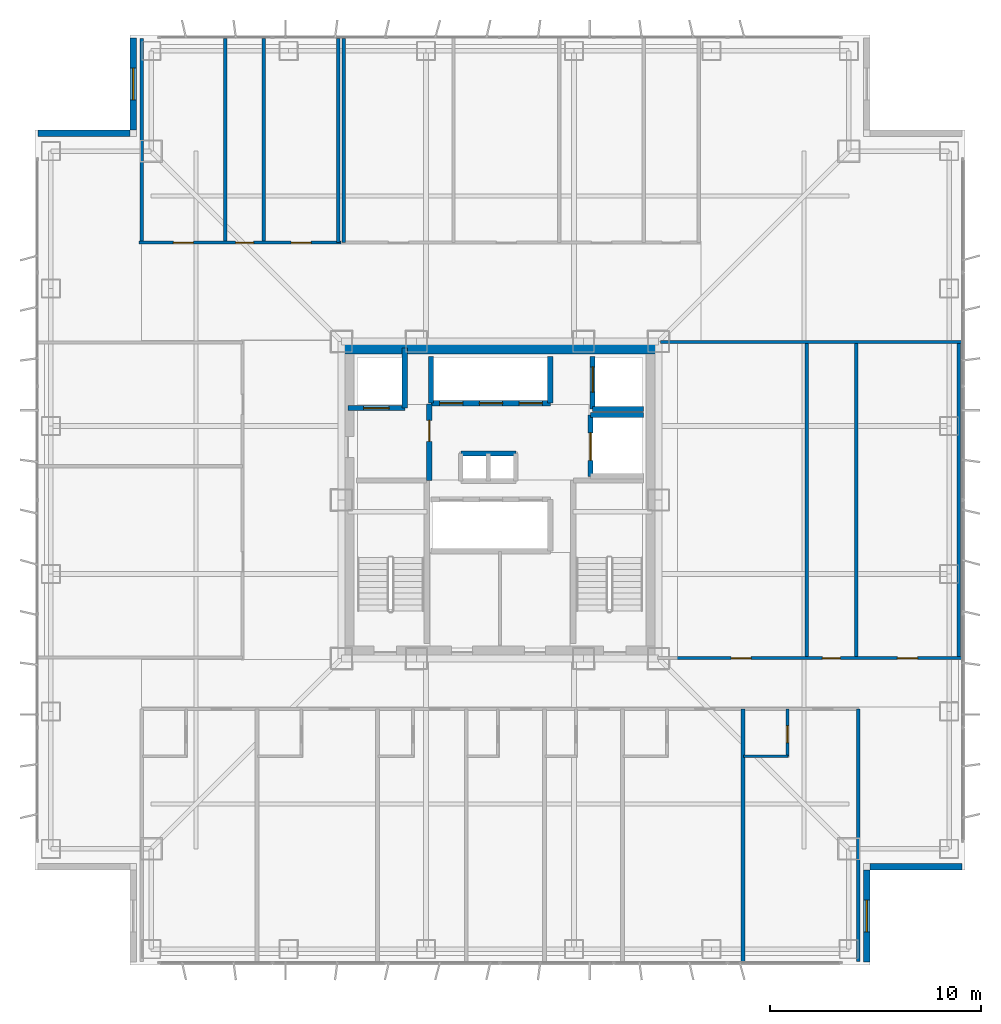
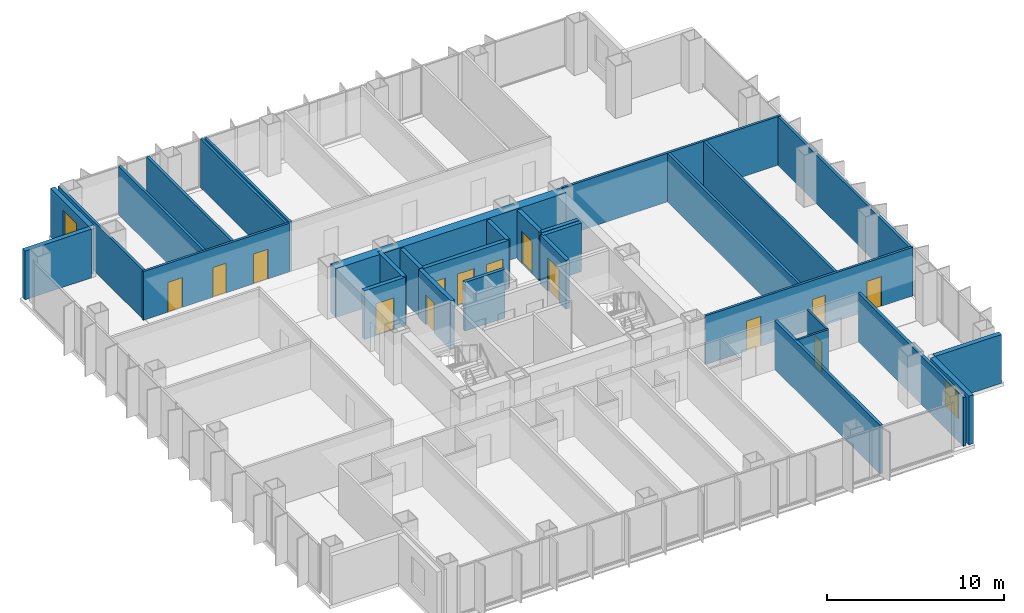
# One storey, part 14 of 18: 31 walls, 14 doors, 2 windows, 16 openings.
"""IFC4 building model written with IfcOpenShell, lengths in metres."""

from ifc_helpers import new_model, si_unit, direction, frame, frame_2d, origin, place, context, subcontext, project, spatial, rectangle, extrude, material, layer, layer_set, type_object, element, fill, save


model = new_model("IFC4")

# Units and contexts
model_context = context("Model", 3, precision=1e-05, world=origin(), true_north=direction((0.0, 1.0)))
body_context = subcontext(model_context, "Body", "Model", "MODEL_VIEW")
ifc_project = project(units=[si_unit("LENGTHUNIT", "METRE"), si_unit("AREAUNIT", "SQUARE_METRE"), si_unit("VOLUMEUNIT", "CUBIC_METRE"), si_unit("PLANEANGLEUNIT", "RADIAN"), si_unit("MASSUNIT", "GRAM", prefix="KILO")], contexts=[model_context])

# Site, building, storey
site_placement = place(None, origin())
site = spatial("IfcSite", under=ifc_project, at=site_placement, CompositionType="ELEMENT")
building_placement = place(site_placement, origin())
building = spatial("IfcBuilding", under=site, at=building_placement, Name="Trevonay Congress Spire", CompositionType="ELEMENT")
storey_placement = place(building_placement, frame((0.0, 0.0, 148.0)))
storey = spatial("IfcBuildingStorey", under=building, at=storey_placement, Name="L38", CompositionType="ELEMENT", Elevation=148.0)

# Wall, opening, door
ifc_material_1 = material(Name="Concrete C40/50", Category="concrete")
ifc_layer_1 = layer(ifc_material_1, 0.1201171875, Name="Concrete C40/50")
ifc_layer_set_1 = layer_set([ifc_layer_1], Name="Concrete C40/50")
wall_type_1 = type_object("IfcWallType", Name="WAL-BATH-120", PredefinedType="PLUMBINGWALL", material=ifc_layer_set_1)
wall_1_placement = place(storey_placement, frame((13.60009765625, -12.1298828125, 0.0), z_axis=(0.0, 0.0, 1.0), x_axis=(0.0, 1.0, 0.0)))
wall_1 = element("IfcWall", 1, at=wall_1_placement, inside=storey, type_object=wall_type_1, Name="L38 interior wall WH-L38S-BS7", PredefinedType="PLUMBINGWALL", context=body_context, shape_type="SweptSolid", body=[
    extrude(rectangle(XDim=2.25, YDim=0.1201171875, at=frame_2d((1.125, 0.0))), origin(), (0.0, 0.0, 1.0), 3.360107421875),
])
opening_1_placement = place(wall_1_placement, frame((0.64990234375, 0.0, 0.0)))
opening_1 = element("IfcOpeningElement", 2, at=opening_1_placement, cuts=wall_1, Name="Opening D11", PredefinedType="OPENING", context=body_context, shape_type="SweptSolid", body=[
    extrude(rectangle(XDim=0.800048828125, YDim=2.050048828125, at=frame_2d((0.39990234375, 1.02490234375))), frame((0.0, 0.070068359375, 0.0), z_axis=(0.0, -1.0, 0.0), x_axis=(1.0, 0.0, 0.0)), (0.0, 0.0, 1.0), 0.14013671875),
])
ifc_material_2 = material(Name="Pale Anodised Aluminium EN AW-6063-T6", Category="aluminium")
door_type_1 = type_object("IfcDoorType", Name="DOR-BATH-80", OperationType="NOTDEFINED", PredefinedType="DOOR", material=ifc_material_2)
door_1_placement = place(opening_1_placement, origin())
door_1 = element("IfcDoor", 3, at=door_1_placement, inside=storey, type_object=door_type_1, Name="L38 En-suite Bathroom Door", OperationType="SINGLE_SWING_LEFT", OverallHeight=2.050048828125, OverallWidth=0.800048828125, PredefinedType="DOOR", context=body_context, shape_type="SweptSolid", body=[
    extrude(rectangle(XDim=0.800048828125, YDim=2.050048828125, at=frame_2d((0.39990234375, 1.02490234375))), frame((0.0, 0.02490234375, 0.0), z_axis=(0.0, -1.0, 0.0), x_axis=(1.0, 0.0, 0.0)), (0.0, 0.0, 1.0), 0.050048828125),
])
fill(opening_1, door_1)

# Walls
wall_2_placement = place(storey_placement, frame((11.530029296875, -12.1298828125, 0.0), z_axis=(0.0, 0.0, 1.0), x_axis=(1.0, 0.0, 0.0)))
element("IfcWall", 4, at=wall_2_placement, inside=storey, type_object=wall_type_1, Name="L38 interior wall WH-L38S-BF7", PredefinedType="PLUMBINGWALL", context=body_context, shape_type="SweptSolid", body=[
    extrude(rectangle(XDim=2.099853515625, YDim=0.1201171875, at=frame_2d((1.0498046875, 0.0))), origin(), (0.0, 0.0, 1.0), 3.360107421875),
])
ifc_material_3 = material(Name="Concrete C60/75", Category="concrete")
ifc_layer_2 = layer(ifc_material_3, 0.60009765625, Name="Concrete C60/75")
ifc_layer_set_2 = layer_set([ifc_layer_2], Name="Concrete C60/75")
wall_type_2 = type_object("IfcWallType", Name="WAL-CORE-600", PredefinedType="SHEAR", material=ifc_layer_set_2)
wall_3_placement = place(storey_placement, frame((-7.5, 7.199951171875, 0.0), z_axis=(0.0, 0.0, 1.0), x_axis=(1.0, 0.0, 0.0)))
element("IfcWall", 5, at=wall_3_placement, inside=storey, type_object=wall_type_2, Name="L38 North structural core shear wall", PredefinedType="SHEAR", context=body_context, shape_type="SweptSolid", body=[
    extrude(rectangle(XDim=15.0, YDim=0.60009765625, at=frame_2d((7.5, 0.0))), origin(), (0.0, 0.0, 1.0), 3.360107421875),
])

# Wall, openings, doors
ifc_layer_3 = layer(ifc_material_1, 0.14990234375, Name="Concrete C40/50")
ifc_layer_set_3 = layer_set([ifc_layer_3], Name="Concrete C40/50")
wall_type_3 = type_object("IfcWallType", Name="WAL-CORR-150", PredefinedType="PARTITIONING", material=ifc_layer_set_3)
wall_4_placement = place(storey_placement, frame((-17.070068359375, 12.179931640625, 0.0), z_axis=(0.0, 0.0, 1.0), x_axis=(1.0, 0.0, 0.0)))
wall_4 = element("IfcWall", 6, at=wall_4_placement, inside=storey, type_object=wall_type_3, Name="L38 interior wall WP-L38NW-COR", PredefinedType="PARTITIONING", context=body_context, shape_type="SweptSolid", body=[
    extrude(rectangle(XDim=9.5400390625, YDim=0.14990234375, at=frame_2d((4.77001953125, 0.0))), origin(), (0.0, 0.0, 1.0), 3.360107421875),
])
opening_2_placement = place(wall_4_placement, frame((1.6201171875, 0.0, 0.0)))
opening_2 = element("IfcOpeningElement", 7, at=opening_2_placement, cuts=wall_4, Name="Opening D07", PredefinedType="OPENING", context=body_context, shape_type="SweptSolid", body=[
    extrude(rectangle(XDim=0.949951171875, YDim=2.06005859375, at=frame_2d((0.47509765625, 1.030029296875))), frame((0.0, 0.0849609375, 0.0), z_axis=(0.0, -1.0, 0.0), x_axis=(1.0, 0.0, 0.0)), (0.0, 0.0, 1.0), 0.169921875),
])
opening_3_placement = place(wall_4_placement, frame((4.56005859375, 0.0, 0.0)))
opening_3 = element("IfcOpeningElement", 8, at=opening_3_placement, cuts=wall_4, Name="Opening D10", PredefinedType="OPENING", context=body_context, shape_type="SweptSolid", body=[
    extrude(rectangle(XDim=0.85009765625, YDim=2.050048828125, at=frame_2d((0.425048828125, 1.02490234375))), frame((0.0, 0.0849609375, 0.0), z_axis=(0.0, -1.0, 0.0), x_axis=(1.0, 0.0, 0.0)), (0.0, 0.0, 1.0), 0.169921875),
])
opening_4_placement = place(wall_4_placement, frame((7.18505859375, 0.0, 0.0)))
opening_4 = element("IfcOpeningElement", 9, at=opening_4_placement, cuts=wall_4, Name="Opening D07", PredefinedType="OPENING", context=body_context, shape_type="SweptSolid", body=[
    extrude(rectangle(XDim=0.949951171875, YDim=2.06005859375, at=frame_2d((0.47509765625, 1.030029296875))), frame((0.0, 0.0849609375, 0.0), z_axis=(0.0, -1.0, 0.0), x_axis=(1.0, 0.0, 0.0)), (0.0, 0.0, 1.0), 0.169921875),
])
door_type_2 = type_object("IfcDoorType", Name="DOR-OFFICE-95", OperationType="NOTDEFINED", PredefinedType="DOOR", material=ifc_material_2)
door_2_placement = place(opening_2_placement, origin())
door_2 = element("IfcDoor", 10, at=door_2_placement, inside=storey, type_object=door_type_2, Name="L38 Treaty Delegation Office Door", OperationType="SINGLE_SWING_LEFT", OverallHeight=2.06005859375, OverallWidth=0.949951171875, PredefinedType="DOOR", context=body_context, shape_type="SweptSolid", body=[
    extrude(rectangle(XDim=0.949951171875, YDim=2.06005859375, at=frame_2d((0.47509765625, 1.030029296875))), frame((0.0, 0.02490234375, 0.0), z_axis=(0.0, -1.0, 0.0), x_axis=(1.0, 0.0, 0.0)), (0.0, 0.0, 1.0), 0.050048828125),
])
fill(opening_2, door_2)
door_3_placement = place(opening_4_placement, origin())
door_3 = element("IfcDoor", 11, at=door_3_placement, inside=storey, type_object=door_type_2, Name="L38 Floor Supplies and Copy Room Door", OperationType="SINGLE_SWING_LEFT", OverallHeight=2.06005859375, OverallWidth=0.949951171875, PredefinedType="DOOR", context=body_context, shape_type="SweptSolid", body=[
    extrude(rectangle(XDim=0.949951171875, YDim=2.06005859375, at=frame_2d((0.47509765625, 1.030029296875))), frame((0.0, 0.02490234375, 0.0), z_axis=(0.0, -1.0, 0.0), x_axis=(1.0, 0.0, 0.0)), (0.0, 0.0, 1.0), 0.050048828125),
])
fill(opening_4, door_3)
door_type_3 = type_object("IfcDoorType", Name="DOR-WC-85", OperationType="NOTDEFINED", PredefinedType="DOOR", material=ifc_material_2)
door_4_placement = place(opening_3_placement, origin())
door_4 = element("IfcDoor", 12, at=door_4_placement, inside=storey, type_object=door_type_3, Name="L38 Accessible WC Door", OperationType="SINGLE_SWING_RIGHT", OverallHeight=2.050048828125, OverallWidth=0.85009765625, PredefinedType="DOOR", context=body_context, shape_type="SweptSolid", body=[
    extrude(rectangle(XDim=0.85009765625, YDim=2.050048828125, at=frame_2d((0.425048828125, 1.02490234375))), frame((0.0, 0.02490234375, 0.0), z_axis=(0.0, -1.0, 0.0), x_axis=(1.0, 0.0, 0.0)), (0.0, 0.0, 1.0), 0.050048828125),
])
fill(opening_3, door_4)

wall_5_placement = place(storey_placement, frame((8.280029296875, -7.47998046875, 0.0), z_axis=(0.0, 0.0, 1.0), x_axis=(1.0, 0.0, 0.0)))
wall_5 = element("IfcWall", 13, at=wall_5_placement, inside=storey, type_object=wall_type_3, Name="L38 interior wall WP-L38E-COR", PredefinedType="PARTITIONING", context=body_context, shape_type="SweptSolid", body=[
    extrude(rectangle(XDim=13.5400390625, YDim=0.14990234375, at=frame_2d((6.77001953125, 0.0))), origin(), (0.0, 0.0, 1.0), 3.360107421875),
])
opening_5_placement = place(wall_5_placement, frame((2.655029296875, 0.0, 0.0)))
opening_5 = element("IfcOpeningElement", 14, at=opening_5_placement, cuts=wall_5, Name="Opening D07", PredefinedType="OPENING", context=body_context, shape_type="SweptSolid", body=[
    extrude(rectangle(XDim=0.949951171875, YDim=2.06005859375, at=frame_2d((0.47509765625, 1.030029296875))), frame((0.0, 0.0849609375, 0.0), z_axis=(0.0, -1.0, 0.0), x_axis=(1.0, 0.0, 0.0)), (0.0, 0.0, 1.0), 0.169921875),
])
opening_6_placement = place(wall_5_placement, frame((6.969970703125, 0.0, 0.0)))
opening_6 = element("IfcOpeningElement", 15, at=opening_6_placement, cuts=wall_5, Name="Opening D10", PredefinedType="OPENING", context=body_context, shape_type="SweptSolid", body=[
    extrude(rectangle(XDim=0.85009765625, YDim=2.050048828125, at=frame_2d((0.425048828125, 1.02490234375))), frame((0.0, 0.0849609375, 0.0), z_axis=(0.0, -1.0, 0.0), x_axis=(1.0, 0.0, 0.0)), (0.0, 0.0, 1.0), 0.169921875),
])
opening_7_placement = place(wall_5_placement, frame((10.52001953125, 0.0, 0.0)))
opening_7 = element("IfcOpeningElement", 16, at=opening_7_placement, cuts=wall_5, Name="Opening D07", PredefinedType="OPENING", context=body_context, shape_type="SweptSolid", body=[
    extrude(rectangle(XDim=0.949951171875, YDim=2.06005859375, at=frame_2d((0.47509765625, 1.030029296875))), frame((0.0, 0.0849609375, 0.0), z_axis=(0.0, -1.0, 0.0), x_axis=(1.0, 0.0, 0.0)), (0.0, 0.0, 1.0), 0.169921875),
])
door_5_placement = place(opening_5_placement, origin())
door_5 = element("IfcDoor", 17, at=door_5_placement, inside=storey, type_object=door_type_2, Name="L38 Security Liaison Office Door", OperationType="SINGLE_SWING_RIGHT", OverallHeight=2.06005859375, OverallWidth=0.949951171875, PredefinedType="DOOR", context=body_context, shape_type="SweptSolid", body=[
    extrude(rectangle(XDim=0.949951171875, YDim=2.06005859375, at=frame_2d((0.47509765625, 1.030029296875))), frame((0.0, 0.02490234375, 0.0), z_axis=(0.0, -1.0, 0.0), x_axis=(1.0, 0.0, 0.0)), (0.0, 0.0, 1.0), 0.050048828125),
])
fill(opening_5, door_5)
door_6_placement = place(opening_7_placement, origin())
door_6 = element("IfcDoor", 18, at=door_6_placement, inside=storey, type_object=door_type_2, Name="L38 Floor Supplies and Copy Room Door", OperationType="SINGLE_SWING_RIGHT", OverallHeight=2.06005859375, OverallWidth=0.949951171875, PredefinedType="DOOR", context=body_context, shape_type="SweptSolid", body=[
    extrude(rectangle(XDim=0.949951171875, YDim=2.06005859375, at=frame_2d((0.47509765625, 1.030029296875))), frame((0.0, 0.02490234375, 0.0), z_axis=(0.0, -1.0, 0.0), x_axis=(1.0, 0.0, 0.0)), (0.0, 0.0, 1.0), 0.050048828125),
])
fill(opening_7, door_6)
door_7_placement = place(opening_6_placement, origin())
door_7 = element("IfcDoor", 19, at=door_7_placement, inside=storey, type_object=door_type_3, Name="L38 Male Restroom WC Door", OperationType="SINGLE_SWING_LEFT", OverallHeight=2.050048828125, OverallWidth=0.85009765625, PredefinedType="DOOR", context=body_context, shape_type="SweptSolid", body=[
    extrude(rectangle(XDim=0.85009765625, YDim=2.050048828125, at=frame_2d((0.425048828125, 1.02490234375))), frame((0.0, 0.02490234375, 0.0), z_axis=(0.0, -1.0, 0.0), x_axis=(1.0, 0.0, 0.0)), (0.0, 0.0, 1.0), 0.050048828125),
])
fill(opening_6, door_7)

# Wall, opening, window
ifc_material_4 = material(Name="Precast concrete C40/50", Category="concrete")
ifc_layer_4 = layer(ifc_material_4, 0.300048828125, Name="Precast concrete C40/50")
ifc_layer_set_4 = layer_set([ifc_layer_4], Name="Precast concrete C40/50")
wall_type_4 = type_object("IfcWallType", Name="WAL-EXT-PRECAST-300", PredefinedType="SOLIDWALL", material=ifc_layer_set_4)
wall_6_placement = place(storey_placement, frame((17.35009765625, -21.85009765625, 0.0), z_axis=(0.0, 0.0, 1.0), x_axis=(0.0, 1.0, 0.0)))
wall_6 = element("IfcWall", 20, at=wall_6_placement, inside=storey, type_object=wall_type_4, Name="L38 SE re-entrant notch exterior wall 1", PredefinedType="SOLIDWALL", context=body_context, shape_type="SweptSolid", body=[
    extrude(rectangle(XDim=4.35009765625, YDim=0.300048828125, at=frame_2d((2.175048828125, 0.0))), origin(), (0.0, 0.0, 1.0), 3.360107421875),
])
opening_8_placement = place(wall_6_placement, frame((1.425048828125, 0.0, 0.89990234375)))
opening_8 = element("IfcOpeningElement", 21, at=opening_8_placement, cuts=wall_6, Name="Opening WN03", PredefinedType="OPENING", context=body_context, shape_type="SweptSolid", body=[
    extrude(rectangle(XDim=1.5, YDim=1.800048828125, at=frame_2d((0.75, 0.89990234375))), frame((0.0, 0.16015625, 0.0), z_axis=(0.0, -1.0, 0.0), x_axis=(1.0, 0.0, 0.0)), (0.0, 0.0, 1.0), 0.320068359375),
])
ifc_material_5 = material(Name="Insulated Low-E Vision Glass IGU", Category="glass")
window_type = type_object("IfcWindowType", Name="WIN-NOTCH-150X180", PartitioningType="SINGLE_PANEL", PredefinedType="WINDOW", material=ifc_material_5)
window_1_placement = place(opening_8_placement, origin())
window_1 = element("IfcWindow", 22, at=window_1_placement, inside=storey, type_object=window_type, Name="L38 SE corner notch window", OverallHeight=1.800048828125, OverallWidth=1.5, PartitioningType="SINGLE_PANEL", PredefinedType="WINDOW", context=body_context, shape_type="SweptSolid", body=[
    extrude(rectangle(XDim=1.5, YDim=1.800048828125, at=frame_2d((0.75, 0.89990234375))), frame((0.0, 0.030029296875, 0.0), z_axis=(0.0, -1.0, 0.0), x_axis=(1.0, 0.0, 0.0)), (0.0, 0.0, 1.0), 0.06005859375),
])
fill(opening_8, window_1)

# Wall
wall_7_placement = place(storey_placement, frame((21.85009765625, -17.35009765625, 0.0), z_axis=(0.0, 0.0, 1.0), x_axis=(-1.0, 0.0, 0.0)))
element("IfcWall", 23, at=wall_7_placement, inside=storey, type_object=wall_type_4, Name="L38 SE re-entrant notch exterior wall 2", PredefinedType="SOLIDWALL", context=body_context, shape_type="SweptSolid", body=[
    extrude(rectangle(XDim=4.35009765625, YDim=0.300048828125, at=frame_2d((2.175048828125, 0.0))), origin(), (0.0, 0.0, 1.0), 3.360107421875),
])

# Wall, opening, window
wall_8_placement = place(storey_placement, frame((-17.35009765625, 21.85009765625, 0.0), z_axis=(0.0, 0.0, 1.0), x_axis=(0.0, -1.0, 0.0)))
wall_8 = element("IfcWall", 24, at=wall_8_placement, inside=storey, type_object=wall_type_4, Name="L38 NW re-entrant notch exterior wall 1", PredefinedType="SOLIDWALL", context=body_context, shape_type="SweptSolid", body=[
    extrude(rectangle(XDim=4.35009765625, YDim=0.300048828125, at=frame_2d((2.175048828125, 0.0))), origin(), (0.0, 0.0, 1.0), 3.360107421875),
])
opening_9_placement = place(wall_8_placement, frame((1.425048828125, 0.0, 0.89990234375)))
opening_9 = element("IfcOpeningElement", 25, at=opening_9_placement, cuts=wall_8, Name="Opening WN03", PredefinedType="OPENING", context=body_context, shape_type="SweptSolid", body=[
    extrude(rectangle(XDim=1.5, YDim=1.800048828125, at=frame_2d((0.75, 0.89990234375))), frame((0.0, 0.16015625, 0.0), z_axis=(0.0, -1.0, 0.0), x_axis=(1.0, 0.0, 0.0)), (0.0, 0.0, 1.0), 0.320068359375),
])
window_2_placement = place(opening_9_placement, origin())
window_2 = element("IfcWindow", 26, at=window_2_placement, inside=storey, type_object=window_type, Name="L38 NW corner notch window", OverallHeight=1.800048828125, OverallWidth=1.5, PartitioningType="SINGLE_PANEL", PredefinedType="WINDOW", context=body_context, shape_type="SweptSolid", body=[
    extrude(rectangle(XDim=1.5, YDim=1.800048828125, at=frame_2d((0.75, 0.89990234375))), frame((0.0, 0.030029296875, 0.0), z_axis=(0.0, -1.0, 0.0), x_axis=(1.0, 0.0, 0.0)), (0.0, 0.0, 1.0), 0.06005859375),
])
fill(opening_9, window_2)

# Walls
wall_9_placement = place(storey_placement, frame((-21.85009765625, 17.35009765625, 0.0), z_axis=(0.0, 0.0, 1.0), x_axis=(1.0, 0.0, 0.0)))
element("IfcWall", 27, at=wall_9_placement, inside=storey, type_object=wall_type_4, Name="L38 NW re-entrant notch exterior wall 2", PredefinedType="SOLIDWALL", context=body_context, shape_type="SweptSolid", body=[
    extrude(rectangle(XDim=4.35009765625, YDim=0.300048828125, at=frame_2d((2.175048828125, 0.0))), origin(), (0.0, 0.0, 1.0), 3.360107421875),
])
ifc_layer_5 = layer(ifc_material_1, 0.179931640625, Name="Concrete C40/50")
ifc_layer_set_5 = layer_set([ifc_layer_5], Name="Concrete C40/50")
wall_type_5 = type_object("IfcWallType", Name="WAL-HOTEL-180", PredefinedType="PARTITIONING", material=ifc_layer_set_5)
for number, where, z_axis, x_axis, name in (
    (28, (11.5, -21.820068359375, 0.0), (0.0, 0.0, 1.0), (0.0, 1.0, 0.0), "L38 interior wall WH-L38S-DIV7"),
    (29, (16.949951171875, -21.820068359375, 0.0), (0.0, 0.0, 1.0), (0.0, 1.0, 0.0), "L38 interior wall WH-L38S-DIV8"),
):
    element("IfcWall", number, at=place(storey_placement, frame(where, z_axis=z_axis, x_axis=x_axis)), inside=storey, type_object=wall_type_5, Name=name, PredefinedType="PARTITIONING", context=body_context, shape_type="SweptSolid", body=[
        extrude(rectangle(XDim=11.940185546875, YDim=0.179931640625, at=frame_2d((5.97021484375, 0.0))), origin(), (0.0, 0.0, 1.0), 3.360107421875),
    ])
ifc_layer_6 = layer(ifc_material_1, 0.14990234375, Name="Concrete C40/50")
ifc_layer_set_6 = layer_set([ifc_layer_6], Name="Concrete C40/50")
wall_type_6 = type_object("IfcWallType", Name="WAL-PART-150", PredefinedType="PARTITIONING", material=ifc_layer_set_6)
wall_10_placement = place(storey_placement, frame((-7.64990234375, 12.179931640625, 0.0), z_axis=(0.0, 0.0, 1.0), x_axis=(0.0, 1.0, 0.0)))
element("IfcWall", 30, at=wall_10_placement, inside=storey, type_object=wall_type_6, Name="L38 interior wall WP-L38NW-DIV3", PredefinedType="PARTITIONING", context=body_context, shape_type="SweptSolid", body=[
    extrude(rectangle(XDim=9.64013671875, YDim=0.14990234375, at=frame_2d((4.820068359375, 0.0))), origin(), (0.0, 0.0, 1.0), 3.360107421875),
])
wall_11_placement = place(storey_placement, frame((7.60009765625, 7.47998046875, 0.0), z_axis=(0.0, 0.0, 1.0), x_axis=(1.0, 0.0, 0.0)))
element("IfcWall", 31, at=wall_11_placement, inside=storey, type_object=wall_type_6, Name="L38 interior wall WP-L38E-NCLS", PredefinedType="PARTITIONING", context=body_context, shape_type="SweptSolid", body=[
    extrude(rectangle(XDim=14.219970703125, YDim=0.14990234375, at=frame_2d((7.10986328125, 0.0))), origin(), (0.0, 0.0, 1.0), 3.360107421875),
])
ifc_layer_7 = layer(ifc_material_1, 0.219970703125, Name="Concrete C40/50")
ifc_layer_set_7 = layer_set([ifc_layer_7], Name="Concrete C40/50")
wall_type_7 = type_object("IfcWallType", Name="WAL-SHAFT-220", PredefinedType="PARTITIONING", material=ifc_layer_set_7)
wall_12_placement = place(storey_placement, frame((-1.85009765625, 2.199951171875, 0.0), z_axis=(0.0, 0.0, 1.0), x_axis=(1.0, 0.0, 0.0)))
element("IfcWall", 32, at=wall_12_placement, inside=storey, type_object=wall_type_7, Name="L38 interior shaft wall WSH-L38-RSR-N", PredefinedType="PARTITIONING", context=body_context, shape_type="SweptSolid", body=[
    extrude(rectangle(XDim=2.60009765625, YDim=0.219970703125, at=frame_2d((1.300048828125, 0.0))), origin(), (0.0, 0.0, 1.0), 3.360107421875),
])

# Wall, openings, doors
ifc_layer_8 = layer(ifc_material_1, 0.25, Name="Concrete C40/50")
ifc_layer_set_8 = layer_set([ifc_layer_8], Name="Concrete C40/50")
wall_type_8 = type_object("IfcWallType", Name="WAL-SHAFT-250", PredefinedType="SHEAR", material=ifc_layer_set_8)
wall_13_placement = place(storey_placement, frame((-3.260009765625, 4.580078125, 0.0), z_axis=(0.0, 0.0, 1.0), x_axis=(1.0, 0.0, 0.0)))
wall_13 = element("IfcWall", 33, at=wall_13_placement, inside=storey, type_object=wall_type_8, Name="L38 interior shaft wall WSH-L38-B3-S", PredefinedType="SHEAR", context=body_context, shape_type="SweptSolid", body=[
    extrude(rectangle(XDim=5.639892578125, YDim=0.25, at=frame_2d((2.81982421875, 0.0))), origin(), (0.0, 0.0, 1.0), 3.360107421875),
])
opening_10_placement = place(wall_13_placement, frame((0.39990234375, 0.0, 0.0)))
opening_10 = element("IfcOpeningElement", 34, at=opening_10_placement, cuts=wall_13, Name="Opening LD03", PredefinedType="OPENING", context=body_context, shape_type="SweptSolid", body=[
    extrude(rectangle(XDim=1.10009765625, YDim=2.199951171875, at=frame_2d((0.550048828125, 1.10009765625))), frame((0.0, 0.135009765625, 0.0), z_axis=(0.0, -1.0, 0.0), x_axis=(1.0, 0.0, 0.0)), (0.0, 0.0, 1.0), 0.27001953125),
])
opening_11_placement = place(wall_13_placement, frame((2.280029296875, 0.0, 0.0)))
opening_11 = element("IfcOpeningElement", 35, at=opening_11_placement, cuts=wall_13, Name="Opening LD03", PredefinedType="OPENING", context=body_context, shape_type="SweptSolid", body=[
    extrude(rectangle(XDim=1.10009765625, YDim=2.199951171875, at=frame_2d((0.550048828125, 1.10009765625))), frame((0.0, 0.135009765625, 0.0), z_axis=(0.0, -1.0, 0.0), x_axis=(1.0, 0.0, 0.0)), (0.0, 0.0, 1.0), 0.27001953125),
])
opening_12_placement = place(wall_13_placement, frame((4.159912109375, 0.0, 0.0)))
opening_12 = element("IfcOpeningElement", 36, at=opening_12_placement, cuts=wall_13, Name="Opening LD03", PredefinedType="OPENING", context=body_context, shape_type="SweptSolid", body=[
    extrude(rectangle(XDim=1.10009765625, YDim=2.199951171875, at=frame_2d((0.550048828125, 1.10009765625))), frame((0.0, 0.135009765625, 0.0), z_axis=(0.0, -1.0, 0.0), x_axis=(1.0, 0.0, 0.0)), (0.0, 0.0, 1.0), 0.27001953125),
])
door_type_4 = type_object("IfcDoorType", Name="DOR-LIFT-LD03", OperationType="DOUBLE_DOOR_SLIDING", PredefinedType="DOOR", material=ifc_material_2)
door_8_placement = place(opening_10_placement, origin())
door_8 = element("IfcDoor", 37, at=door_8_placement, inside=storey, type_object=door_type_4, Name="L38 Passenger lift PL-07 landing door", OperationType="DOUBLE_DOOR_SLIDING", OverallHeight=2.199951171875, OverallWidth=1.10009765625, PredefinedType="DOOR", context=body_context, shape_type="SweptSolid", body=[
    extrude(rectangle(XDim=1.10009765625, YDim=2.199951171875, at=frame_2d((0.550048828125, 1.10009765625))), frame((0.0, 0.02490234375, 0.0), z_axis=(0.0, -1.0, 0.0), x_axis=(1.0, 0.0, 0.0)), (0.0, 0.0, 1.0), 0.050048828125),
])
fill(opening_10, door_8)
door_9_placement = place(opening_11_placement, origin())
door_9 = element("IfcDoor", 38, at=door_9_placement, inside=storey, type_object=door_type_4, Name="L38 Passenger lift PL-08 landing door", OperationType="DOUBLE_DOOR_SLIDING", OverallHeight=2.199951171875, OverallWidth=1.10009765625, PredefinedType="DOOR", context=body_context, shape_type="SweptSolid", body=[
    extrude(rectangle(XDim=1.10009765625, YDim=2.199951171875, at=frame_2d((0.550048828125, 1.10009765625))), frame((0.0, 0.02490234375, 0.0), z_axis=(0.0, -1.0, 0.0), x_axis=(1.0, 0.0, 0.0)), (0.0, 0.0, 1.0), 0.050048828125),
])
fill(opening_11, door_9)
door_10_placement = place(opening_12_placement, origin())
door_10 = element("IfcDoor", 39, at=door_10_placement, inside=storey, type_object=door_type_4, Name="L38 Passenger lift PL-09 landing door", OperationType="DOUBLE_DOOR_SLIDING", OverallHeight=2.199951171875, OverallWidth=1.10009765625, PredefinedType="DOOR", context=body_context, shape_type="SweptSolid", body=[
    extrude(rectangle(XDim=1.10009765625, YDim=2.199951171875, at=frame_2d((0.550048828125, 1.10009765625))), frame((0.0, 0.02490234375, 0.0), z_axis=(0.0, -1.0, 0.0), x_axis=(1.0, 0.0, 0.0)), (0.0, 0.0, 1.0), 0.050048828125),
])
fill(opening_12, door_10)

# Walls
for number, where, z_axis, x_axis, name in (
    (40, (-3.260009765625, 4.580078125, 0.0), (0.0, 0.0, 1.0), (0.0, 1.0, 0.0), "L38 interior shaft wall WSH-L38-B3-W"),
    (41, (2.3798828125, 4.580078125, 0.0), (0.0, 0.0, 1.0), (0.0, 1.0, 0.0), "L38 interior shaft wall WSH-L38-B3-E"),
):
    element("IfcWall", number, at=place(storey_placement, frame(where, z_axis=z_axis, x_axis=x_axis)), inside=storey, type_object=wall_type_8, Name=name, PredefinedType="SHEAR", context=body_context, shape_type="SweptSolid", body=[
        extrude(rectangle(XDim=2.219970703125, YDim=0.25, at=frame_2d((1.10986328125, 0.0))), origin(), (0.0, 0.0, 1.0), 3.360107421875),
    ])

# Wall, opening, door
wall_14_placement = place(storey_placement, frame((-7.199951171875, 4.35009765625, 0.0), z_axis=(0.0, 0.0, 1.0), x_axis=(1.0, 0.0, 0.0)))
wall_14 = element("IfcWall", 42, at=wall_14_placement, inside=storey, type_object=wall_type_8, Name="L38 interior shaft wall WSH-L38-FF1-S", PredefinedType="SHEAR", context=body_context, shape_type="SweptSolid", body=[
    extrude(rectangle(XDim=2.699951171875, YDim=0.25, at=frame_2d((1.35009765625, 0.0))), origin(), (0.0, 0.0, 1.0), 3.360107421875),
])
opening_13_placement = place(wall_14_placement, frame((0.75, 0.0, 0.0)))
opening_13 = element("IfcOpeningElement", 43, at=opening_13_placement, cuts=wall_14, Name="Opening LD04", PredefinedType="OPENING", context=body_context, shape_type="SweptSolid", body=[
    extrude(rectangle(XDim=1.199951171875, YDim=2.199951171875, at=frame_2d((0.60009765625, 1.10009765625))), frame((0.0, 0.135009765625, 0.0), z_axis=(0.0, -1.0, 0.0), x_axis=(1.0, 0.0, 0.0)), (0.0, 0.0, 1.0), 0.27001953125),
])
ifc_material_6 = material(Name="Steel ASTM A572 Grade 50", Category="steel")
door_type_5 = type_object("IfcDoorType", Name="DOR-LIFT-LD04", OperationType="DOUBLE_DOOR_SLIDING", PredefinedType="DOOR", material=ifc_material_6)
door_11_placement = place(opening_13_placement, origin())
door_11 = element("IfcDoor", 44, at=door_11_placement, inside=storey, type_object=door_type_5, Name="L38 Firefighting lift FFL-01 landing door", OperationType="DOUBLE_DOOR_SLIDING", OverallHeight=2.199951171875, OverallWidth=1.199951171875, PredefinedType="DOOR", context=body_context, shape_type="SweptSolid", body=[
    extrude(rectangle(XDim=1.199951171875, YDim=2.199951171875, at=frame_2d((0.60009765625, 1.10009765625))), frame((0.0, 0.02490234375, 0.0), z_axis=(0.0, -1.0, 0.0), x_axis=(1.0, 0.0, 0.0)), (0.0, 0.0, 1.0), 0.050048828125),
])
fill(opening_13, door_11)

# Walls
wall_15_placement = place(storey_placement, frame((-4.5, 4.35009765625, 0.0), z_axis=(0.0, 0.0, 1.0), x_axis=(0.0, 1.0, 0.0)))
element("IfcWall", 45, at=wall_15_placement, inside=storey, type_object=wall_type_8, Name="L38 interior shaft wall WSH-L38-FF1-E", PredefinedType="SHEAR", context=body_context, shape_type="SweptSolid", body=[
    extrude(rectangle(XDim=2.849853515625, YDim=0.25, at=frame_2d((1.4248046875, 0.0))), origin(), (0.0, 0.0, 1.0), 3.360107421875),
])
wall_16_placement = place(storey_placement, frame((4.3798828125, 4.300048828125, 0.0), z_axis=(0.0, 0.0, 1.0), x_axis=(1.0, 0.0, 0.0)))
element("IfcWall", 46, at=wall_16_placement, inside=storey, type_object=wall_type_8, Name="L38 interior shaft wall WSH-L38-FF2-S", PredefinedType="SHEAR", context=body_context, shape_type="SweptSolid", body=[
    extrude(rectangle(XDim=2.420166015625, YDim=0.25, at=frame_2d((1.2099609375, 0.0))), origin(), (0.0, 0.0, 1.0), 3.360107421875),
])

# Wall, opening, door
wall_17_placement = place(storey_placement, frame((4.3798828125, 4.300048828125, 0.0), z_axis=(0.0, 0.0, 1.0), x_axis=(0.0, 1.0, 0.0)))
wall_17 = element("IfcWall", 47, at=wall_17_placement, inside=storey, type_object=wall_type_8, Name="L38 interior shaft wall WSH-L38-FF2-W", PredefinedType="SHEAR", context=body_context, shape_type="SweptSolid", body=[
    extrude(rectangle(XDim=2.5, YDim=0.25, at=frame_2d((1.25, 0.0))), origin(), (0.0, 0.0, 1.0), 3.360107421875),
])
opening_14_placement = place(wall_17_placement, frame((0.800048828125, 0.0, 0.0)))
opening_14 = element("IfcOpeningElement", 48, at=opening_14_placement, cuts=wall_17, Name="Opening LD04", PredefinedType="OPENING", context=body_context, shape_type="SweptSolid", body=[
    extrude(rectangle(XDim=1.199951171875, YDim=2.199951171875, at=frame_2d((0.60009765625, 1.10009765625))), frame((0.0, 0.135009765625, 0.0), z_axis=(0.0, -1.0, 0.0), x_axis=(1.0, 0.0, 0.0)), (0.0, 0.0, 1.0), 0.27001953125),
])
door_12_placement = place(opening_14_placement, origin())
door_12 = element("IfcDoor", 49, at=door_12_placement, inside=storey, type_object=door_type_5, Name="L38 Firefighting lift FFL-02 landing door", OperationType="DOUBLE_DOOR_SLIDING", OverallHeight=2.199951171875, OverallWidth=1.199951171875, PredefinedType="DOOR", context=body_context, shape_type="SweptSolid", body=[
    extrude(rectangle(XDim=1.199951171875, YDim=2.199951171875, at=frame_2d((0.60009765625, 1.10009765625))), frame((0.0, 0.02490234375, 0.0), z_axis=(0.0, -1.0, 0.0), x_axis=(1.0, 0.0, 0.0)), (0.0, 0.0, 1.0), 0.050048828125),
])
fill(opening_14, door_12)

wall_18_placement = place(storey_placement, frame((4.280029296875, 1.1201171875, 0.0), z_axis=(0.0, 0.0, 1.0), x_axis=(0.0, 1.0, 0.0)))
wall_18 = element("IfcWall", 50, at=wall_18_placement, inside=storey, type_object=wall_type_8, Name="L38 interior shaft wall WSH-L38-SV-W", PredefinedType="SHEAR", context=body_context, shape_type="SweptSolid", body=[
    extrude(rectangle(XDim=2.89990234375, YDim=0.25, at=frame_2d((1.449951171875, 0.0))), origin(), (0.0, 0.0, 1.0), 3.360107421875),
])
opening_15_placement = place(wall_18_placement, frame((0.75, 0.0, 0.0)))
opening_15 = element("IfcOpeningElement", 51, at=opening_15_placement, cuts=wall_18, Name="Opening LD05", PredefinedType="OPENING", context=body_context, shape_type="SweptSolid", body=[
    extrude(rectangle(XDim=1.300048828125, YDim=2.300048828125, at=frame_2d((0.64990234375, 1.14990234375))), frame((0.0, 0.135009765625, 0.0), z_axis=(0.0, -1.0, 0.0), x_axis=(1.0, 0.0, 0.0)), (0.0, 0.0, 1.0), 0.27001953125),
])
door_type_6 = type_object("IfcDoorType", Name="DOR-LIFT-LD05", OperationType="DOUBLE_DOOR_SLIDING", PredefinedType="DOOR", material=ifc_material_6)
door_13_placement = place(opening_15_placement, origin())
door_13 = element("IfcDoor", 52, at=door_13_placement, inside=storey, type_object=door_type_6, Name="L38 Goods lift SVL-01 landing door", OperationType="DOUBLE_DOOR_SLIDING", OverallHeight=2.300048828125, OverallWidth=1.300048828125, PredefinedType="DOOR", context=body_context, shape_type="SweptSolid", body=[
    extrude(rectangle(XDim=1.300048828125, YDim=2.300048828125, at=frame_2d((0.64990234375, 1.14990234375))), frame((0.0, 0.02490234375, 0.0), z_axis=(0.0, -1.0, 0.0), x_axis=(1.0, 0.0, 0.0)), (0.0, 0.0, 1.0), 0.050048828125),
])
fill(opening_15, door_13)

# Wall
wall_19_placement = place(storey_placement, frame((4.280029296875, 4.02001953125, 0.0), z_axis=(0.0, 0.0, 1.0), x_axis=(1.0, 0.0, 0.0)))
element("IfcWall", 53, at=wall_19_placement, inside=storey, type_object=wall_type_8, Name="L38 interior shaft wall WSH-L38-SV-N", PredefinedType="SHEAR", context=body_context, shape_type="SweptSolid", body=[
    extrude(rectangle(XDim=2.52001953125, YDim=0.25, at=frame_2d((1.260009765625, 0.0))), origin(), (0.0, 0.0, 1.0), 3.360107421875),
])

# Wall, opening, door
wall_20_placement = place(storey_placement, frame((-3.35009765625, 0.919921875, 0.0), z_axis=(0.0, 0.0, 1.0), x_axis=(0.0, 1.0, 0.0)))
wall_20 = element("IfcWall", 54, at=wall_20_placement, inside=storey, type_object=wall_type_8, Name="L38 interior wall CW-FFLW-E-L38", PredefinedType="SHEAR", context=body_context, shape_type="SweptSolid", body=[
    extrude(rectangle(XDim=3.6201171875, YDim=0.25, at=frame_2d((1.81005859375, 0.0))), origin(), (0.0, 0.0, 1.0), 3.360107421875),
])
opening_16_placement = place(wall_20_placement, frame((1.85009765625, 0.0, 0.0)))
opening_16 = element("IfcOpeningElement", 55, at=opening_16_placement, cuts=wall_20, Name="Opening D06", PredefinedType="OPENING", context=body_context, shape_type="SweptSolid", body=[
    extrude(rectangle(XDim=1.0, YDim=2.080078125, at=frame_2d((0.5, 1.0400390625))), frame((0.0, 0.135009765625, 0.0), z_axis=(0.0, -1.0, 0.0), x_axis=(1.0, 0.0, 0.0)), (0.0, 0.0, 1.0), 0.27001953125),
])
door_type_7 = type_object("IfcDoorType", Name="DOR-FIRE-100", OperationType="NOTDEFINED", PredefinedType="DOOR", material=ifc_material_6)
door_14_placement = place(opening_16_placement, origin())
door_14 = element("IfcDoor", 56, at=door_14_placement, inside=storey, type_object=door_type_7, Name="L38 Firefighting Core Lobby Transfer Door", OperationType="SINGLE_SWING_RIGHT", OverallHeight=2.080078125, OverallWidth=1.0, PredefinedType="DOOR", context=body_context, shape_type="SweptSolid", body=[
    extrude(rectangle(XDim=1.0, YDim=2.080078125, at=frame_2d((0.5, 1.0400390625))), frame((0.0, 0.02490234375, 0.0), z_axis=(0.0, -1.0, 0.0), x_axis=(1.0, 0.0, 0.0)), (0.0, 0.0, 1.0), 0.050048828125),
])
fill(opening_16, door_14)

# Walls
ifc_layer_9 = layer(ifc_material_1, 0.1650390625, Name="Concrete C40/50")
ifc_layer_set_9 = layer_set([ifc_layer_9], Name="Concrete C40/50")
wall_type_9 = type_object("IfcWallType", Name="WAL-WET-165", PredefinedType="PLUMBINGWALL", material=ifc_layer_set_9)
for number, where, z_axis, x_axis, name in (
    (57, (-11.169921875, 12.179931640625, 0.0), (0.0, 0.0, 1.0), (0.0, 1.0, 0.0), "L38 interior wall WP-L38NW-WCS2"),
    (58, (-16.949951171875, 12.179931640625, 0.0), (0.0, 0.0, 1.0), (0.0, 1.0, 0.0), "L38 interior wall WP-L38NW-DIV1"),
    (59, (-13.0, 12.179931640625, 0.0), (0.0, 0.0, 1.0), (0.0, 1.0, 0.0), "L38 interior wall WP-L38NW-DIV2"),
    (60, (-7.39990234375, 12.179931640625, 0.0), (0.0, 0.0, 1.0), (0.0, 1.0, 0.0), "L38 interior wall WP-L38NE-DIV1"),
):
    element("IfcWall", number, at=place(storey_placement, frame(where, z_axis=z_axis, x_axis=x_axis)), inside=storey, type_object=wall_type_9, Name=name, PredefinedType="PLUMBINGWALL", context=body_context, shape_type="SweptSolid", body=[
        extrude(rectangle(XDim=9.64013671875, YDim=0.1650390625, at=frame_2d((4.820068359375, 0.0))), origin(), (0.0, 0.0, 1.0), 3.360107421875),
    ])
for number, where, z_axis, x_axis, name in (
    (61, (16.85009765625, -7.47998046875, 0.0), (0.0, 0.0, 1.0), (0.0, 1.0, 0.0), "L38 interior wall WP-L38E-WCS2"),
    (62, (14.5, -7.47998046875, 0.0), (0.0, 0.0, 1.0), (0.0, 1.0, 0.0), "L38 interior wall WP-L38E-DIV1"),
    (63, (21.699951171875, -7.47998046875, 0.0), (0.0, 0.0, 1.0), (0.0, 1.0, 0.0), "L38 interior wall WP-L38E-DIV2"),
):
    element("IfcWall", number, at=place(storey_placement, frame(where, z_axis=z_axis, x_axis=x_axis)), inside=storey, type_object=wall_type_9, Name=name, PredefinedType="PLUMBINGWALL", context=body_context, shape_type="SweptSolid", body=[
        extrude(rectangle(XDim=14.8798828125, YDim=0.1650390625, at=frame_2d((7.43994140625, 0.0))), origin(), (0.0, 0.0, 1.0), 3.360107421875),
    ])

save(model, "model.ifc")
